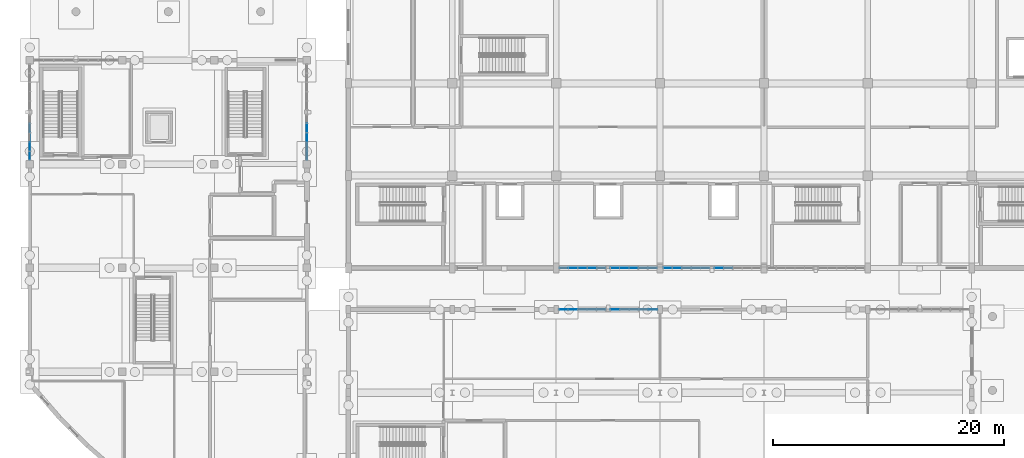
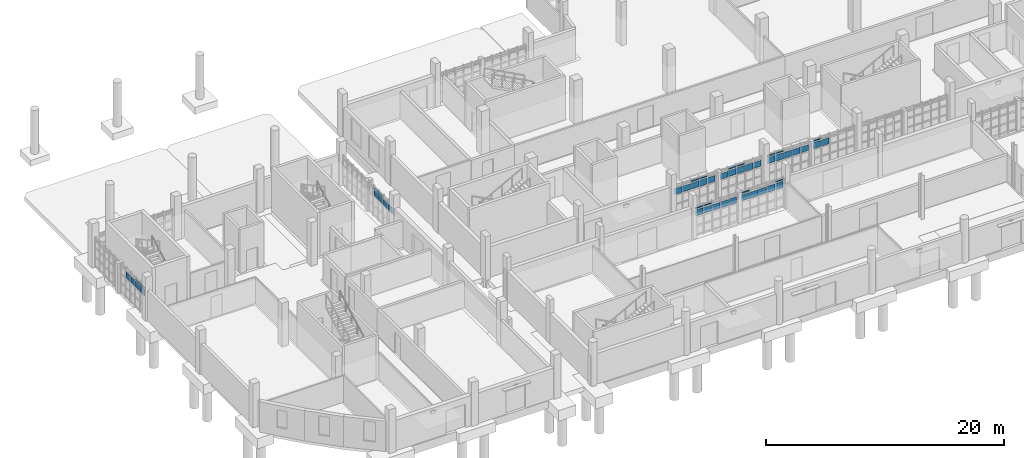
# One storey, part 37 of 63: 50 plates, 8 elements without a shape of their own.
"""IFC4 building model written with IfcOpenShell, lengths in metres."""

from ifc_helpers import new_model, si_unit, direction, frame, origin, origin_2d, place, context, subcontext, project, spatial, rectangle, extrude, material, layer, layer_set, type_object, element, aggregate, save


model = new_model("IFC4")

# Units and contexts
model_context = context("Model", 3, precision=1e-05, world=origin(), true_north=direction((0.0, 1.0)))
body_context = subcontext(model_context, "Body", "Model", "MODEL_VIEW")
ifc_project = project(units=[si_unit("LENGTHUNIT", "METRE"), si_unit("AREAUNIT", "SQUARE_METRE"), si_unit("VOLUMEUNIT", "CUBIC_METRE"), si_unit("PLANEANGLEUNIT", "RADIAN"), si_unit("MASSUNIT", "GRAM", prefix="KILO")], contexts=[model_context])

# Site, building, storey
site_placement = place(None, origin())
site = spatial("IfcSite", under=ifc_project, at=site_placement, CompositionType="ELEMENT")
building_placement = place(site_placement, origin())
building = spatial("IfcBuilding", under=site, at=building_placement, Name="Serraforn Aerial Cableway Station", CompositionType="ELEMENT")
storey_placement = place(building_placement, origin())
storey = spatial("IfcBuildingStorey", under=building, at=storey_placement, Name="L00", CompositionType="ELEMENT", Elevation=0.0)

# Curtain wall, plates
ifc_material_1 = material(Name="Anodised bronze unitised curtain wall")
curtain_wall_type_1 = type_object("IfcCurtainWallType", Name="CW-SYS-3", PredefinedType="USERDEFINED", material=ifc_material_1)
curtain_wall_1_placement = place(storey_placement, origin())
curtain_wall_1 = element("IfcCurtainWall", 1, at=curtain_wall_1_placement, inside=storey, type_object=curtain_wall_type_1, Name="Unitised Curtain Wall CW-CV-L00-S3A", ObjectType="UNITISED CURTAIN WALL", PredefinedType="USERDEFINED")
ifc_material_2 = material(Name="Solar-control low-E double glazing", Category="glass")
ifc_layer_1 = layer(ifc_material_2, 0.02587890625)
ifc_layer_set_1 = layer_set([ifc_layer_1], Name="Solar-control low-E double glazing")
plate_type_1 = type_object("IfcPlateType", Name="CW-GLZ-1", PredefinedType="CURTAIN_PANEL", material=ifc_layer_set_1)
plate_1_placement = place(storey_placement, frame((47.8828125, 18.0, 2.798583984375), z_axis=(0.0, 0.0, 1.0), x_axis=(1.0, 0.0, 0.0)))
plate_1 = element("IfcPlate", 2, at=plate_1_placement, type_object=plate_type_1, Name="Curtain Wall Panel CW-CV-L00-S3A-P3-4", PredefinedType="CURTAIN_PANEL", context=body_context, shape_type="SweptSolid", body=[
    extrude(rectangle(XDim=0.755859375, YDim=0.02587890625, at=origin_2d()), origin(), (0.0, 0.0, 1.0), 0.138671875),
])
plate_2_placement = place(storey_placement, frame((48.697265625, 18.0, 2.0498046875), z_axis=(0.0, 0.0, 1.0), x_axis=(1.0, 0.0, 0.0)))
plate_2 = element("IfcPlate", 3, at=plate_2_placement, type_object=plate_type_1, Name="Curtain Wall Panel CW-CV-L00-S3A-P4-3", PredefinedType="CURTAIN_PANEL", context=body_context, shape_type="SweptSolid", body=[
    extrude(rectangle(XDim=0.7509765625, YDim=0.02587890625, at=origin_2d()), origin(), (0.0, 0.0, 1.0), 0.6376953125),
])

curtain_wall_type_2 = type_object("IfcCurtainWallType", Name="CW-SYS-4", PredefinedType="USERDEFINED", material=ifc_material_1)
curtain_wall_2_placement = place(storey_placement, origin())
curtain_wall_2 = element("IfcCurtainWall", 4, at=curtain_wall_2_placement, inside=storey, type_object=curtain_wall_type_2, Name="Unitised Curtain Wall CW-CV-L00-S3B", ObjectType="UNITISED CURTAIN WALL", PredefinedType="USERDEFINED")
plate_3_placement = place(storey_placement, frame((51.500244140625, 18.0, 2.798583984375), z_axis=(0.0, 0.0, 1.0), x_axis=(1.0, 0.0, 0.0)))
plate_3 = element("IfcPlate", 5, at=plate_3_placement, type_object=plate_type_1, Name="Curtain Wall Panel CW-CV-L00-S3B-P2-4", PredefinedType="CURTAIN_PANEL", context=body_context, shape_type="SweptSolid", body=[
    extrude(rectangle(XDim=0.755859375, YDim=0.02587890625, at=origin_2d()), origin(), (0.0, 0.0, 1.0), 0.138671875),
])
plate_4_placement = place(storey_placement, frame((52.314697265625, 18.0, 2.0498046875), z_axis=(0.0, 0.0, 1.0), x_axis=(1.0, 0.0, 0.0)))
plate_4 = element("IfcPlate", 6, at=plate_4_placement, type_object=plate_type_1, Name="Curtain Wall Panel CW-CV-L00-S3B-P3-3", PredefinedType="CURTAIN_PANEL", context=body_context, shape_type="SweptSolid", body=[
    extrude(rectangle(XDim=0.7509765625, YDim=0.02587890625, at=origin_2d()), origin(), (0.0, 0.0, 1.0), 0.6376953125),
])

curtain_wall_type_3 = type_object("IfcCurtainWallType", Name="CW-SYS-5", PredefinedType="USERDEFINED", material=ifc_material_1)
curtain_wall_3_placement = place(storey_placement, origin())
curtain_wall_3 = element("IfcCurtainWall", 7, at=curtain_wall_3_placement, inside=storey, type_object=curtain_wall_type_3, Name="Unitised Curtain Wall CW-CV-L00-S4A", ObjectType="UNITISED CURTAIN WALL", PredefinedType="USERDEFINED")
plate_5_placement = place(storey_placement, frame((55.268798828125, 18.0, 2.798583984375), z_axis=(0.0, 0.0, 1.0), x_axis=(1.0, 0.0, 0.0)))
plate_5 = element("IfcPlate", 8, at=plate_5_placement, type_object=plate_type_1, Name="Curtain Wall Panel CW-CV-L00-S4A-P1-4", PredefinedType="CURTAIN_PANEL", context=body_context, shape_type="SweptSolid", body=[
    extrude(rectangle(XDim=0.725830078125, YDim=0.02587890625, at=origin_2d()), origin(), (0.0, 0.0, 1.0), 0.138671875),
])
plate_6_placement = place(storey_placement, frame((56.068359375, 18.0, 2.0498046875), z_axis=(0.0, 0.0, 1.0), x_axis=(1.0, 0.0, 0.0)))
plate_6 = element("IfcPlate", 9, at=plate_6_placement, type_object=plate_type_1, Name="Curtain Wall Panel CW-CV-L00-S4A-P2-3", PredefinedType="CURTAIN_PANEL", context=body_context, shape_type="SweptSolid", body=[
    extrude(rectangle(XDim=0.7509765625, YDim=0.02587890625, at=origin_2d()), origin(), (0.0, 0.0, 1.0), 0.6376953125),
])

# Curtain wall, plate
curtain_wall_type_4 = type_object("IfcCurtainWallType", Name="CW-SYS-6", PredefinedType="USERDEFINED", material=ifc_material_1)
curtain_wall_4_placement = place(storey_placement, origin())
curtain_wall_4 = element("IfcCurtainWall", 10, at=curtain_wall_4_placement, inside=storey, type_object=curtain_wall_type_4, Name="Unitised Curtain Wall CW-CV-L00-S4B", ObjectType="UNITISED CURTAIN WALL", PredefinedType="USERDEFINED")
plate_7_placement = place(storey_placement, frame((59.7021484375, 18.0, 2.0498046875), z_axis=(0.0, 0.0, 1.0), x_axis=(1.0, 0.0, 0.0)))
plate_7 = element("IfcPlate", 11, at=plate_7_placement, type_object=plate_type_1, Name="Curtain Wall Panel CW-CV-L00-S4B-P1-3", PredefinedType="CURTAIN_PANEL", context=body_context, shape_type="SweptSolid", body=[
    extrude(rectangle(XDim=0.718505859375, YDim=0.02587890625, at=origin_2d()), origin(), (0.0, 0.0, 1.0), 0.6376953125),
])

curtain_wall_type_5 = type_object("IfcCurtainWallType", Name="CW-SYS-19", PredefinedType="USERDEFINED", material=ifc_material_1)
curtain_wall_5_placement = place(storey_placement, origin())
curtain_wall_5 = element("IfcCurtainWall", 12, at=curtain_wall_5_placement, inside=storey, type_object=curtain_wall_type_5, Name="Unitised Curtain Wall CW-CF-L00-N3A", ObjectType="UNITISED CURTAIN WALL", PredefinedType="USERDEFINED")
ifc_layer_2 = layer(ifc_material_2, 0.028076171875)
ifc_layer_set_2 = layer_set([ifc_layer_2], Name="Solar-control low-E double glazing")
plate_type_2 = type_object("IfcPlateType", Name="CW-GLZ-2", PredefinedType="CURTAIN_PANEL", material=ifc_layer_set_2)
plate_8_placement = place(storey_placement, frame((53.974853515625, 14.39990234375, 2.0498046875), z_axis=(0.0, 0.0, 1.0), x_axis=(1.0, 0.0, 0.0)))
plate_8 = element("IfcPlate", 13, at=plate_8_placement, type_object=plate_type_2, Name="Curtain Wall Panel CW-CF-L00-N3A-P1-3", PredefinedType="CURTAIN_PANEL", context=body_context, shape_type="SweptSolid", body=[
    extrude(rectangle(XDim=0.728515625, YDim=0.028076171875, at=origin_2d()), origin(), (0.0, 0.0, 1.0), 0.6376953125),
])

# Plate
plate_9_placement = place(storey_placement, frame((48.697265625, 18.0, 2.8037109375), z_axis=(0.0, 0.0, 1.0), x_axis=(1.0, 0.0, 0.0)))
plate_9 = element("IfcPlate", 14, at=plate_9_placement, type_object=plate_type_2, Name="Curtain Wall Panel CW-CV-L00-S3A-P4-4", PredefinedType="CURTAIN_PANEL", context=body_context, shape_type="SweptSolid", body=[
    extrude(rectangle(XDim=0.7509765625, YDim=0.028076171875, at=origin_2d()), origin(), (0.0, 0.0, 1.0), 0.126220703125),
])

plate_10_placement = place(storey_placement, frame((49.492919921875, 18.0, 2.0546875), z_axis=(0.0, 0.0, 1.0), x_axis=(1.0, 0.0, 0.0)))
plate_10 = element("IfcPlate", 15, at=plate_10_placement, type_object=plate_type_2, Name="Curtain Wall Panel CW-CV-L00-S3A-P5-3", PredefinedType="CURTAIN_PANEL", context=body_context, shape_type="SweptSolid", body=[
    extrude(rectangle(XDim=0.70849609375, YDim=0.028076171875, at=origin_2d()), origin(), (0.0, 0.0, 1.0), 0.625244140625),
])

plate_11_placement = place(storey_placement, frame((52.314697265625, 18.0, 2.8037109375), z_axis=(0.0, 0.0, 1.0), x_axis=(1.0, 0.0, 0.0)))
plate_11 = element("IfcPlate", 16, at=plate_11_placement, type_object=plate_type_2, Name="Curtain Wall Panel CW-CV-L00-S3B-P3-4", PredefinedType="CURTAIN_PANEL", context=body_context, shape_type="SweptSolid", body=[
    extrude(rectangle(XDim=0.7509765625, YDim=0.028076171875, at=origin_2d()), origin(), (0.0, 0.0, 1.0), 0.126220703125),
])

plate_12_placement = place(storey_placement, frame((53.129150390625, 18.0, 2.0546875), z_axis=(0.0, 0.0, 1.0), x_axis=(1.0, 0.0, 0.0)))
plate_12 = element("IfcPlate", 17, at=plate_12_placement, type_object=plate_type_2, Name="Curtain Wall Panel CW-CV-L00-S3B-P4-3", PredefinedType="CURTAIN_PANEL", context=body_context, shape_type="SweptSolid", body=[
    extrude(rectangle(XDim=0.745849609375, YDim=0.028076171875, at=origin_2d()), origin(), (0.0, 0.0, 1.0), 0.625244140625),
])

plate_13_placement = place(storey_placement, frame((56.068359375, 18.0, 2.8037109375), z_axis=(0.0, 0.0, 1.0), x_axis=(1.0, 0.0, 0.0)))
plate_13 = element("IfcPlate", 18, at=plate_13_placement, type_object=plate_type_2, Name="Curtain Wall Panel CW-CV-L00-S4A-P2-4", PredefinedType="CURTAIN_PANEL", context=body_context, shape_type="SweptSolid", body=[
    extrude(rectangle(XDim=0.7509765625, YDim=0.028076171875, at=origin_2d()), origin(), (0.0, 0.0, 1.0), 0.126220703125),
])

plate_14_placement = place(storey_placement, frame((56.8828125, 18.0, 2.0546875), z_axis=(0.0, 0.0, 1.0), x_axis=(1.0, 0.0, 0.0)))
plate_14 = element("IfcPlate", 19, at=plate_14_placement, type_object=plate_type_2, Name="Curtain Wall Panel CW-CV-L00-S4A-P3-3", PredefinedType="CURTAIN_PANEL", context=body_context, shape_type="SweptSolid", body=[
    extrude(rectangle(XDim=0.745849609375, YDim=0.028076171875, at=origin_2d()), origin(), (0.0, 0.0, 1.0), 0.625244140625),
])

plate_15_placement = place(storey_placement, frame((59.7021484375, 18.0, 2.8037109375), z_axis=(0.0, 0.0, 1.0), x_axis=(1.0, 0.0, 0.0)))
plate_15 = element("IfcPlate", 20, at=plate_15_placement, type_object=plate_type_2, Name="Curtain Wall Panel CW-CV-L00-S4B-P1-4", PredefinedType="CURTAIN_PANEL", context=body_context, shape_type="SweptSolid", body=[
    extrude(rectangle(XDim=0.718505859375, YDim=0.028076171875, at=origin_2d()), origin(), (0.0, 0.0, 1.0), 0.126220703125),
])

plate_16_placement = place(storey_placement, frame((60.500244140625, 18.0, 2.0546875), z_axis=(0.0, 0.0, 1.0), x_axis=(1.0, 0.0, 0.0)))
plate_16 = element("IfcPlate", 21, at=plate_16_placement, type_object=plate_type_2, Name="Curtain Wall Panel CW-CV-L00-S4B-P2-3", PredefinedType="CURTAIN_PANEL", context=body_context, shape_type="SweptSolid", body=[
    extrude(rectangle(XDim=0.745849609375, YDim=0.028076171875, at=origin_2d()), origin(), (0.0, 0.0, 1.0), 0.625244140625),
])

aggregate(curtain_wall_4, [plate_7, plate_15, plate_16])

ifc_layer_3 = layer(ifc_material_2, 0.030029296875)
ifc_layer_set_3 = layer_set([ifc_layer_3], Name="Solar-control low-E double glazing")
plate_type_3 = type_object("IfcPlateType", Name="CW-GLZ-3", PredefinedType="CURTAIN_PANEL", material=ifc_layer_set_3)
plate_17_placement = place(storey_placement, frame((53.974853515625, 14.39990234375, 2.8037109375), z_axis=(0.0, 0.0, 1.0), x_axis=(1.0, 0.0, 0.0)))
plate_17 = element("IfcPlate", 22, at=plate_17_placement, type_object=plate_type_3, Name="Curtain Wall Panel CW-CF-L00-N3A-P1-4", PredefinedType="CURTAIN_PANEL", context=body_context, shape_type="SweptSolid", body=[
    extrude(rectangle(XDim=0.728515625, YDim=0.030029296875, at=origin_2d()), origin(), (0.0, 0.0, 1.0), 0.126220703125),
])

plate_18_placement = place(storey_placement, frame((53.166748046875, 14.39990234375, 2.0546875), z_axis=(0.0, 0.0, 1.0), x_axis=(1.0, 0.0, 0.0)))
plate_18 = element("IfcPlate", 23, at=plate_18_placement, type_object=plate_type_3, Name="Curtain Wall Panel CW-CF-L00-N3A-P2-3", PredefinedType="CURTAIN_PANEL", context=body_context, shape_type="SweptSolid", body=[
    extrude(rectangle(XDim=0.755859375, YDim=0.030029296875, at=origin_2d()), origin(), (0.0, 0.0, 1.0), 0.625244140625),
])

# Curtain wall, plate
curtain_wall_type_6 = type_object("IfcCurtainWallType", Name="CW-SYS-20", PredefinedType="USERDEFINED", material=ifc_material_1)
curtain_wall_6_placement = place(storey_placement, origin())
curtain_wall_6 = element("IfcCurtainWall", 24, at=curtain_wall_6_placement, inside=storey, type_object=curtain_wall_type_6, Name="Unitised Curtain Wall CW-CF-L00-N3B", ObjectType="UNITISED CURTAIN WALL", PredefinedType="USERDEFINED")
plate_19_placement = place(storey_placement, frame((49.49169921875, 14.39990234375, 2.0546875), z_axis=(0.0, 0.0, 1.0), x_axis=(1.0, 0.0, 0.0)))
plate_19 = element("IfcPlate", 25, at=plate_19_placement, type_object=plate_type_3, Name="Curtain Wall Panel CW-CF-L00-N3B-P1-3", PredefinedType="CURTAIN_PANEL", context=body_context, shape_type="SweptSolid", body=[
    extrude(rectangle(XDim=0.720947265625, YDim=0.030029296875, at=origin_2d()), origin(), (0.0, 0.0, 1.0), 0.625244140625),
])

# Plate
plate_20_placement = place(storey_placement, frame((53.93603515625, 18.0, 2.062255859375), z_axis=(0.0, 0.0, 1.0), x_axis=(1.0, 0.0, 0.0)))
plate_20 = element("IfcPlate", 26, at=plate_20_placement, type_object=plate_type_3, Name="Curtain Wall Panel CW-CV-L00-S3B-P5-3", PredefinedType="CURTAIN_PANEL", context=body_context, shape_type="SweptSolid", body=[
    extrude(rectangle(XDim=0.725830078125, YDim=0.030029296875, at=origin_2d()), origin(), (0.0, 0.0, 1.0), 0.6103515625),
])

plate_21_placement = place(storey_placement, frame((57.703369140625, 18.0, 2.062255859375), z_axis=(0.0, 0.0, 1.0), x_axis=(1.0, 0.0, 0.0)))
plate_21 = element("IfcPlate", 27, at=plate_21_placement, type_object=plate_type_3, Name="Curtain Wall Panel CW-CV-L00-S4A-P4-3", PredefinedType="CURTAIN_PANEL", context=body_context, shape_type="SweptSolid", body=[
    extrude(rectangle(XDim=0.75341796875, YDim=0.030029296875, at=origin_2d()), origin(), (0.0, 0.0, 1.0), 0.6103515625),
])

# Curtain wall, plate
curtain_wall_type_7 = type_object("IfcCurtainWallType", Name="CW-SYS-8", PredefinedType="USERDEFINED", material=ifc_material_1)
curtain_wall_7_placement = place(storey_placement, origin())
curtain_wall_7 = element("IfcCurtainWall", 28, at=curtain_wall_7_placement, inside=storey, type_object=curtain_wall_type_7, Name="Unitised Curtain Wall CW-W-L00-W4B", ObjectType="UNITISED CURTAIN WALL", PredefinedType="USERDEFINED")
ifc_layer_4 = layer(ifc_material_2, 0.031982421875)
ifc_layer_set_4 = layer_set([ifc_layer_4], Name="Solar-control low-E double glazing")
plate_type_4 = type_object("IfcPlateType", Name="CW-GLZ-4", PredefinedType="CURTAIN_PANEL", material=ifc_layer_set_4)
plate_22_placement = place(storey_placement, frame((0.0, 30.115966796875, 2.062255859375), z_axis=(0.0, 0.0, 1.0), x_axis=(1.0, 0.0, 0.0)))
plate_22 = element("IfcPlate", 29, at=plate_22_placement, type_object=plate_type_4, Name="Curtain Wall Panel CW-W-L00-W4B-P2-3", PredefinedType="CURTAIN_PANEL", context=body_context, shape_type="SweptSolid", body=[
    extrude(rectangle(XDim=0.031982421875, YDim=0.73828125, at=origin_2d()), origin(), (0.0, 0.0, 1.0), 0.6103515625),
])

curtain_wall_type_8 = type_object("IfcCurtainWallType", Name="CW-SYS-9", PredefinedType="USERDEFINED", material=ifc_material_1)
curtain_wall_8_placement = place(storey_placement, origin())
curtain_wall_8 = element("IfcCurtainWall", 30, at=curtain_wall_8_placement, inside=storey, type_object=curtain_wall_type_8, Name="Unitised Curtain Wall CW-W-L00-E4A", ObjectType="UNITISED CURTAIN WALL", PredefinedType="USERDEFINED")
plate_23_placement = place(storey_placement, frame((24.0, 27.746337890625, 2.062255859375), z_axis=(0.0, 0.0, 1.0), x_axis=(1.0, 0.0, 0.0)))
plate_23 = element("IfcPlate", 31, at=plate_23_placement, type_object=plate_type_4, Name="Curtain Wall Panel CW-W-L00-E4A-P1-3", PredefinedType="CURTAIN_PANEL", context=body_context, shape_type="SweptSolid", body=[
    extrude(rectangle(XDim=0.031982421875, YDim=0.700927734375, at=origin_2d()), origin(), (0.0, 0.0, 1.0), 0.6103515625),
])

# Plate
plate_24_placement = place(storey_placement, frame((52.3359375, 14.39990234375, 2.062255859375), z_axis=(0.0, 0.0, 1.0), x_axis=(1.0, 0.0, 0.0)))
plate_24 = element("IfcPlate", 32, at=plate_24_placement, type_object=plate_type_4, Name="Curtain Wall Panel CW-CF-L00-N3A-P3-3", PredefinedType="CURTAIN_PANEL", context=body_context, shape_type="SweptSolid", body=[
    extrude(rectangle(XDim=0.763427734375, YDim=0.031982421875, at=origin_2d()), origin(), (0.0, 0.0, 1.0), 0.6103515625),
])

plate_25_placement = place(storey_placement, frame((48.678466796875, 14.39990234375, 2.062255859375), z_axis=(0.0, 0.0, 1.0), x_axis=(1.0, 0.0, 0.0)))
plate_25 = element("IfcPlate", 33, at=plate_25_placement, type_object=plate_type_4, Name="Curtain Wall Panel CW-CF-L00-N3B-P2-3", PredefinedType="CURTAIN_PANEL", context=body_context, shape_type="SweptSolid", body=[
    extrude(rectangle(XDim=0.763427734375, YDim=0.031982421875, at=origin_2d()), origin(), (0.0, 0.0, 1.0), 0.6103515625),
])

plate_26_placement = place(storey_placement, frame((58.49658203125, 18.0, 2.06982421875), z_axis=(0.0, 0.0, 1.0), x_axis=(1.0, 0.0, 0.0)))
plate_26 = element("IfcPlate", 34, at=plate_26_placement, type_object=plate_type_4, Name="Curtain Wall Panel CW-CV-L00-S4A-P5-3", PredefinedType="CURTAIN_PANEL", context=body_context, shape_type="SweptSolid", body=[
    extrude(rectangle(XDim=0.73095703125, YDim=0.031982421875, at=origin_2d()), origin(), (0.0, 0.0, 1.0), 0.59521484375),
])

ifc_layer_5 = layer(ifc_material_2, 0.033935546875)
ifc_layer_set_5 = layer_set([ifc_layer_5], Name="Solar-control low-E double glazing")
plate_type_5 = type_object("IfcPlateType", Name="CW-GLZ-5", PredefinedType="CURTAIN_PANEL", material=ifc_layer_set_5)
plate_27_placement = place(storey_placement, frame((0.0, 29.32275390625, 2.06982421875), z_axis=(0.0, 0.0, 1.0), x_axis=(1.0, 0.0, 0.0)))
plate_27 = element("IfcPlate", 35, at=plate_27_placement, type_object=plate_type_5, Name="Curtain Wall Panel CW-W-L00-W4B-P3-3", PredefinedType="CURTAIN_PANEL", context=body_context, shape_type="SweptSolid", body=[
    extrude(rectangle(XDim=0.033935546875, YDim=0.745849609375, at=origin_2d()), origin(), (0.0, 0.0, 1.0), 0.59521484375),
])

plate_28_placement = place(storey_placement, frame((24.0, 28.520751953125, 2.06982421875), z_axis=(0.0, 0.0, 1.0), x_axis=(1.0, 0.0, 0.0)))
plate_28 = element("IfcPlate", 36, at=plate_28_placement, type_object=plate_type_5, Name="Curtain Wall Panel CW-W-L00-E4A-P2-3", PredefinedType="CURTAIN_PANEL", context=body_context, shape_type="SweptSolid", body=[
    extrude(rectangle(XDim=0.033935546875, YDim=0.745849609375, at=origin_2d()), origin(), (0.0, 0.0, 1.0), 0.59521484375),
])

plate_29_placement = place(storey_placement, frame((51.517822265625, 14.39990234375, 2.06982421875), z_axis=(0.0, 0.0, 1.0), x_axis=(1.0, 0.0, 0.0)))
plate_29 = element("IfcPlate", 37, at=plate_29_placement, type_object=plate_type_5, Name="Curtain Wall Panel CW-CF-L00-N3A-P4-3", PredefinedType="CURTAIN_PANEL", context=body_context, shape_type="SweptSolid", body=[
    extrude(rectangle(XDim=0.77099609375, YDim=0.033935546875, at=origin_2d()), origin(), (0.0, 0.0, 1.0), 0.59521484375),
])

plate_30_placement = place(storey_placement, frame((47.8603515625, 14.39990234375, 2.06982421875), z_axis=(0.0, 0.0, 1.0), x_axis=(1.0, 0.0, 0.0)))
plate_30 = element("IfcPlate", 38, at=plate_30_placement, type_object=plate_type_5, Name="Curtain Wall Panel CW-CF-L00-N3B-P3-3", PredefinedType="CURTAIN_PANEL", context=body_context, shape_type="SweptSolid", body=[
    extrude(rectangle(XDim=0.77099609375, YDim=0.033935546875, at=origin_2d()), origin(), (0.0, 0.0, 1.0), 0.59521484375),
])

ifc_layer_6 = layer(ifc_material_2, 0.035888671875)
ifc_layer_set_6 = layer_set([ifc_layer_6], Name="Solar-control low-E double glazing")
plate_type_6 = type_object("IfcPlateType", Name="CW-GLZ-6", PredefinedType="CURTAIN_PANEL", material=ifc_layer_set_6)
plate_31_placement = place(storey_placement, frame((0.0, 28.5234375, 2.077392578125), z_axis=(0.0, 0.0, 1.0), x_axis=(1.0, 0.0, 0.0)))
plate_31 = element("IfcPlate", 39, at=plate_31_placement, type_object=plate_type_6, Name="Curtain Wall Panel CW-W-L00-W4B-P4-3", PredefinedType="CURTAIN_PANEL", context=body_context, shape_type="SweptSolid", body=[
    extrude(rectangle(XDim=0.035888671875, YDim=0.740966796875, at=origin_2d()), origin(), (0.0, 0.0, 1.0), 0.615234375),
])

plate_32_placement = place(storey_placement, frame((24.0, 29.3203125, 2.077392578125), z_axis=(0.0, 0.0, 1.0), x_axis=(1.0, 0.0, 0.0)))
plate_32 = element("IfcPlate", 40, at=plate_32_placement, type_object=plate_type_6, Name="Curtain Wall Panel CW-W-L00-E4A-P3-3", PredefinedType="CURTAIN_PANEL", context=body_context, shape_type="SweptSolid", body=[
    extrude(rectangle(XDim=0.035888671875, YDim=0.740966796875, at=origin_2d()), origin(), (0.0, 0.0, 1.0), 0.615234375),
])

plate_33_placement = place(storey_placement, frame((50.709716796875, 14.39990234375, 2.077392578125), z_axis=(0.0, 0.0, 1.0), x_axis=(1.0, 0.0, 0.0)))
plate_33 = element("IfcPlate", 41, at=plate_33_placement, type_object=plate_type_6, Name="Curtain Wall Panel CW-CF-L00-N3A-P5-3", PredefinedType="CURTAIN_PANEL", context=body_context, shape_type="SweptSolid", body=[
    extrude(rectangle(XDim=0.7333984375, YDim=0.035888671875, at=origin_2d()), origin(), (0.0, 0.0, 1.0), 0.615234375),
])

plate_34_placement = place(storey_placement, frame((47.035888671875, 14.39990234375, 2.077392578125), z_axis=(0.0, 0.0, 1.0), x_axis=(1.0, 0.0, 0.0)))
plate_34 = element("IfcPlate", 42, at=plate_34_placement, type_object=plate_type_6, Name="Curtain Wall Panel CW-CF-L00-N3B-P4-3", PredefinedType="CURTAIN_PANEL", context=body_context, shape_type="SweptSolid", body=[
    extrude(rectangle(XDim=0.765869140625, YDim=0.035888671875, at=origin_2d()), origin(), (0.0, 0.0, 1.0), 0.615234375),
])

plate_35_placement = place(storey_placement, frame((46.279052734375, 18.0, 2.062255859375), z_axis=(0.0, 0.0, 1.0), x_axis=(1.0, 0.0, 0.0)))
plate_35 = element("IfcPlate", 43, at=plate_35_placement, type_object=plate_type_6, Name="Curtain Wall Panel CW-CV-L00-S3A-P1-3", PredefinedType="CURTAIN_PANEL", context=body_context, shape_type="SweptSolid", body=[
    extrude(rectangle(XDim=0.7158203125, YDim=0.035888671875, at=origin_2d()), origin(), (0.0, 0.0, 1.0), 0.6103515625),
])

ifc_layer_7 = layer(ifc_material_2, 0.029052734375)
ifc_layer_set_7 = layer_set([ifc_layer_7], Name="Solar-control low-E double glazing")
plate_type_7 = type_object("IfcPlateType", Name="CW-GLZ-7", PredefinedType="CURTAIN_PANEL", material=ifc_layer_set_7)
plate_36_placement = place(storey_placement, frame((0.0, 28.5234375, 2.798583984375), z_axis=(0.0, 0.0, 1.0), x_axis=(1.0, 0.0, 0.0)))
plate_36 = element("IfcPlate", 44, at=plate_36_placement, type_object=plate_type_7, Name="Curtain Wall Panel CW-W-L00-W4B-P4-4", PredefinedType="CURTAIN_PANEL", context=body_context, shape_type="SweptSolid", body=[
    extrude(rectangle(XDim=0.029052734375, YDim=0.740966796875, at=origin_2d()), origin(), (0.0, 0.0, 1.0), 0.138671875),
])

plate_37_placement = place(storey_placement, frame((0.0, 27.741455078125, 2.0498046875), z_axis=(0.0, 0.0, 1.0), x_axis=(1.0, 0.0, 0.0)))
plate_37 = element("IfcPlate", 45, at=plate_37_placement, type_object=plate_type_7, Name="Curtain Wall Panel CW-W-L00-W4B-P5-3", PredefinedType="CURTAIN_PANEL", context=body_context, shape_type="SweptSolid", body=[
    extrude(rectangle(XDim=0.029052734375, YDim=0.700927734375, at=origin_2d()), origin(), (0.0, 0.0, 1.0), 0.6376953125),
])

plate_38_placement = place(storey_placement, frame((24.0, 29.3203125, 2.798583984375), z_axis=(0.0, 0.0, 1.0), x_axis=(1.0, 0.0, 0.0)))
plate_38 = element("IfcPlate", 46, at=plate_38_placement, type_object=plate_type_7, Name="Curtain Wall Panel CW-W-L00-E4A-P3-4", PredefinedType="CURTAIN_PANEL", context=body_context, shape_type="SweptSolid", body=[
    extrude(rectangle(XDim=0.029052734375, YDim=0.740966796875, at=origin_2d()), origin(), (0.0, 0.0, 1.0), 0.138671875),
])

plate_39_placement = place(storey_placement, frame((24.0, 30.11962890625, 2.0498046875), z_axis=(0.0, 0.0, 1.0), x_axis=(1.0, 0.0, 0.0)))
plate_39 = element("IfcPlate", 47, at=plate_39_placement, type_object=plate_type_7, Name="Curtain Wall Panel CW-W-L00-E4A-P4-3", PredefinedType="CURTAIN_PANEL", context=body_context, shape_type="SweptSolid", body=[
    extrude(rectangle(XDim=0.029052734375, YDim=0.73583984375, at=origin_2d()), origin(), (0.0, 0.0, 1.0), 0.6376953125),
])

plate_40_placement = place(storey_placement, frame((50.709716796875, 14.39990234375, 2.798583984375), z_axis=(0.0, 0.0, 1.0), x_axis=(1.0, 0.0, 0.0)))
plate_40 = element("IfcPlate", 48, at=plate_40_placement, type_object=plate_type_7, Name="Curtain Wall Panel CW-CF-L00-N3A-P5-4", PredefinedType="CURTAIN_PANEL", context=body_context, shape_type="SweptSolid", body=[
    extrude(rectangle(XDim=0.7333984375, YDim=0.029052734375, at=origin_2d()), origin(), (0.0, 0.0, 1.0), 0.138671875),
])

aggregate(curtain_wall_5, [plate_8, plate_17, plate_18, plate_24, plate_29, plate_33, plate_40])

plate_41_placement = place(storey_placement, frame((47.035888671875, 14.39990234375, 2.798583984375), z_axis=(0.0, 0.0, 1.0), x_axis=(1.0, 0.0, 0.0)))
plate_41 = element("IfcPlate", 49, at=plate_41_placement, type_object=plate_type_7, Name="Curtain Wall Panel CW-CF-L00-N3B-P4-4", PredefinedType="CURTAIN_PANEL", context=body_context, shape_type="SweptSolid", body=[
    extrude(rectangle(XDim=0.765869140625, YDim=0.029052734375, at=origin_2d()), origin(), (0.0, 0.0, 1.0), 0.138671875),
])

plate_42_placement = place(storey_placement, frame((46.22900390625, 14.39990234375, 2.0498046875), z_axis=(0.0, 0.0, 1.0), x_axis=(1.0, 0.0, 0.0)))
plate_42 = element("IfcPlate", 50, at=plate_42_placement, type_object=plate_type_7, Name="Curtain Wall Panel CW-CF-L00-N3B-P5-3", PredefinedType="CURTAIN_PANEL", context=body_context, shape_type="SweptSolid", body=[
    extrude(rectangle(XDim=0.725830078125, YDim=0.029052734375, at=origin_2d()), origin(), (0.0, 0.0, 1.0), 0.6376953125),
])

plate_43_placement = place(storey_placement, frame((47.068359375, 18.0, 2.06982421875), z_axis=(0.0, 0.0, 1.0), x_axis=(1.0, 0.0, 0.0)))
plate_43 = element("IfcPlate", 51, at=plate_43_placement, type_object=plate_type_7, Name="Curtain Wall Panel CW-CV-L00-S3A-P2-3", PredefinedType="CURTAIN_PANEL", context=body_context, shape_type="SweptSolid", body=[
    extrude(rectangle(XDim=0.760986328125, YDim=0.029052734375, at=origin_2d()), origin(), (0.0, 0.0, 1.0), 0.59521484375),
])

plate_44_placement = place(storey_placement, frame((50.69970703125, 18.0, 2.06982421875), z_axis=(0.0, 0.0, 1.0), x_axis=(1.0, 0.0, 0.0)))
plate_44 = element("IfcPlate", 52, at=plate_44_placement, type_object=plate_type_7, Name="Curtain Wall Panel CW-CV-L00-S3B-P1-3", PredefinedType="CURTAIN_PANEL", context=body_context, shape_type="SweptSolid", body=[
    extrude(rectangle(XDim=0.7333984375, YDim=0.029052734375, at=origin_2d()), origin(), (0.0, 0.0, 1.0), 0.59521484375),
])

ifc_layer_8 = layer(ifc_material_2, 0.031005859375)
ifc_layer_set_8 = layer_set([ifc_layer_8], Name="Solar-control low-E double glazing")
plate_type_8 = type_object("IfcPlateType", Name="CW-GLZ-8", PredefinedType="CURTAIN_PANEL", material=ifc_layer_set_8)
plate_45_placement = place(storey_placement, frame((0.0, 27.741455078125, 2.8037109375), z_axis=(0.0, 0.0, 1.0), x_axis=(1.0, 0.0, 0.0)))
plate_45 = element("IfcPlate", 53, at=plate_45_placement, type_object=plate_type_8, Name="Curtain Wall Panel CW-W-L00-W4B-P5-4", PredefinedType="CURTAIN_PANEL", context=body_context, shape_type="SweptSolid", body=[
    extrude(rectangle(XDim=0.031005859375, YDim=0.700927734375, at=origin_2d()), origin(), (0.0, 0.0, 1.0), 0.126220703125),
])

aggregate(curtain_wall_7, [plate_22, plate_27, plate_31, plate_36, plate_37, plate_45])

plate_46_placement = place(storey_placement, frame((24.0, 30.11962890625, 2.8037109375), z_axis=(0.0, 0.0, 1.0), x_axis=(1.0, 0.0, 0.0)))
plate_46 = element("IfcPlate", 54, at=plate_46_placement, type_object=plate_type_8, Name="Curtain Wall Panel CW-W-L00-E4A-P4-4", PredefinedType="CURTAIN_PANEL", context=body_context, shape_type="SweptSolid", body=[
    extrude(rectangle(XDim=0.031005859375, YDim=0.73583984375, at=origin_2d()), origin(), (0.0, 0.0, 1.0), 0.126220703125),
])

aggregate(curtain_wall_8, [plate_23, plate_28, plate_32, plate_38, plate_39, plate_46])

plate_47_placement = place(storey_placement, frame((46.22900390625, 14.39990234375, 2.8037109375), z_axis=(0.0, 0.0, 1.0), x_axis=(1.0, 0.0, 0.0)))
plate_47 = element("IfcPlate", 55, at=plate_47_placement, type_object=plate_type_8, Name="Curtain Wall Panel CW-CF-L00-N3B-P5-4", PredefinedType="CURTAIN_PANEL", context=body_context, shape_type="SweptSolid", body=[
    extrude(rectangle(XDim=0.725830078125, YDim=0.031005859375, at=origin_2d()), origin(), (0.0, 0.0, 1.0), 0.126220703125),
])

aggregate(curtain_wall_6, [plate_19, plate_25, plate_30, plate_34, plate_41, plate_42, plate_47])

plate_48_placement = place(storey_placement, frame((47.8828125, 18.0, 2.077392578125), z_axis=(0.0, 0.0, 1.0), x_axis=(1.0, 0.0, 0.0)))
plate_48 = element("IfcPlate", 56, at=plate_48_placement, type_object=plate_type_8, Name="Curtain Wall Panel CW-CV-L00-S3A-P3-3", PredefinedType="CURTAIN_PANEL", context=body_context, shape_type="SweptSolid", body=[
    extrude(rectangle(XDim=0.755859375, YDim=0.031005859375, at=origin_2d()), origin(), (0.0, 0.0, 1.0), 0.615234375),
])

aggregate(curtain_wall_1, [plate_35, plate_43, plate_48, plate_1, plate_2, plate_9, plate_10])

plate_49_placement = place(storey_placement, frame((51.500244140625, 18.0, 2.077392578125), z_axis=(0.0, 0.0, 1.0), x_axis=(1.0, 0.0, 0.0)))
plate_49 = element("IfcPlate", 57, at=plate_49_placement, type_object=plate_type_8, Name="Curtain Wall Panel CW-CV-L00-S3B-P2-3", PredefinedType="CURTAIN_PANEL", context=body_context, shape_type="SweptSolid", body=[
    extrude(rectangle(XDim=0.755859375, YDim=0.031005859375, at=origin_2d()), origin(), (0.0, 0.0, 1.0), 0.615234375),
])

aggregate(curtain_wall_2, [plate_44, plate_49, plate_3, plate_4, plate_11, plate_12, plate_20])

plate_50_placement = place(storey_placement, frame((55.268798828125, 18.0, 2.077392578125), z_axis=(0.0, 0.0, 1.0), x_axis=(1.0, 0.0, 0.0)))
plate_50 = element("IfcPlate", 58, at=plate_50_placement, type_object=plate_type_8, Name="Curtain Wall Panel CW-CV-L00-S4A-P1-3", PredefinedType="CURTAIN_PANEL", context=body_context, shape_type="SweptSolid", body=[
    extrude(rectangle(XDim=0.725830078125, YDim=0.031005859375, at=origin_2d()), origin(), (0.0, 0.0, 1.0), 0.615234375),
])

aggregate(curtain_wall_3, [plate_50, plate_5, plate_6, plate_13, plate_14, plate_21, plate_26])

save(model, "model.ifc")
